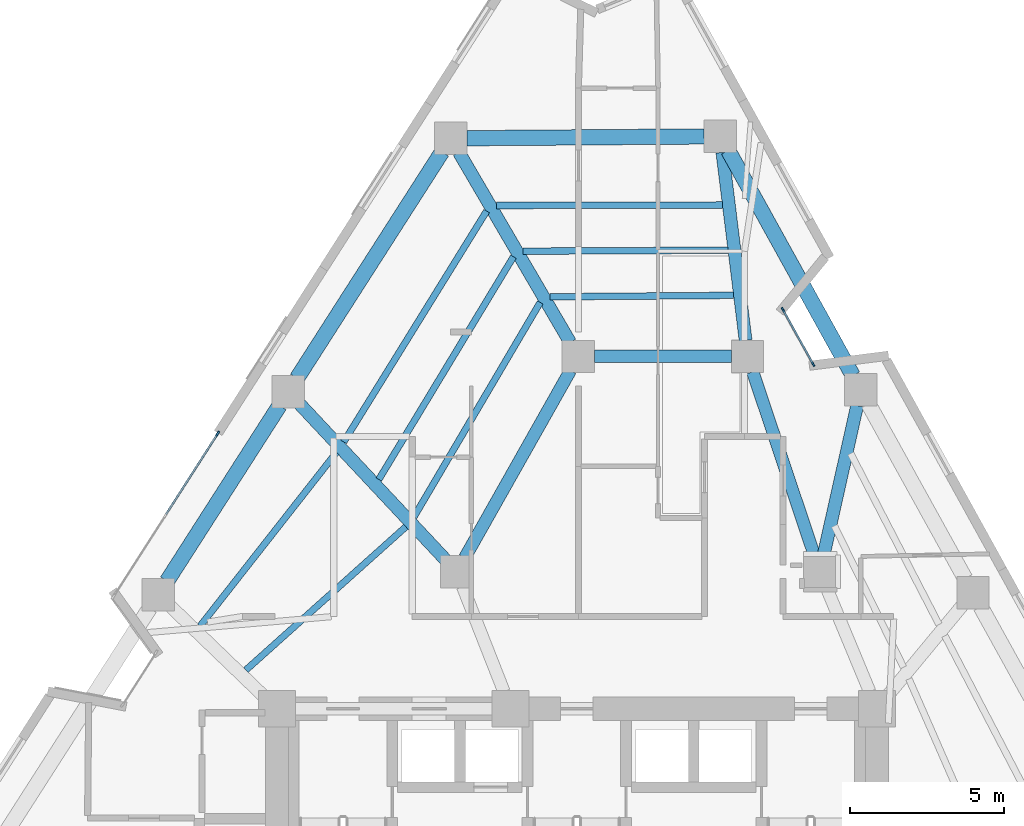
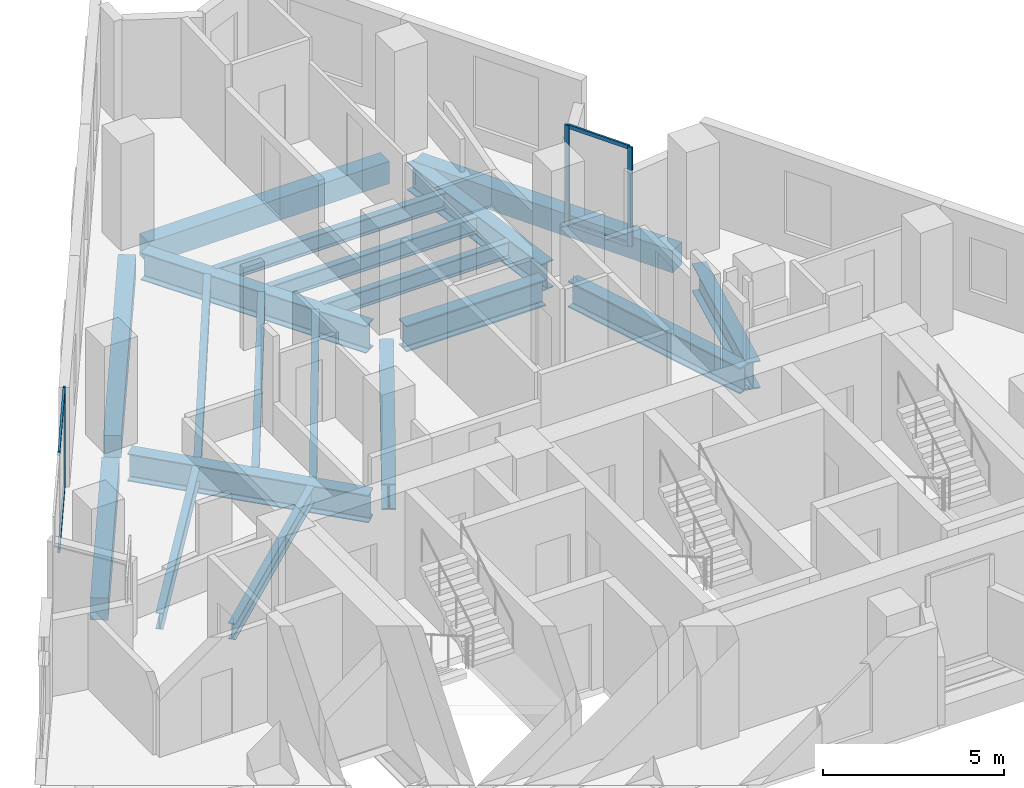
# One storey, part 3 of 10: 19 beams, 7 members, 2 elements without a shape of their own.
"""IFC4 building model written with IfcOpenShell, lengths in metres."""

import ifcopenshell
import ifcopenshell.guid

model = None  # the IFC model being written
_history = None  # IfcOwnerHistory: only IFC2X3 demands one
_inside = {}  # id of a spatial element -> (the spatial element, [elements in it])
_under = {}  # id of a project, library or spatial element -> (it, [spatial elements below it])
_declared = {}  # id of a project -> (the project, [libraries it declares])
_typed = {}  # id of a type object -> (the type object, [elements of that type])
_made_of = {}  # id of a material, layer set ... -> (it, [elements and type objects made of it])


def new_model(schema):
    """Start an empty IFC model of exactly this schema.

    Asked for "IFC4X3", IfcOpenShell would pick the latest addendum, in which some entities
    have other attributes; the version numbers below select the first issue.
    IFC2X3 requires an IfcOwnerHistory on every rooted entity: one is made here for all.
    """
    global model, _history
    if schema == "IFC4X3":
        model = ifcopenshell.file(schema_version=(4, 3, 0, 0))
    else:
        model = ifcopenshell.file(schema=schema)
    _inside.clear()
    _under.clear()
    _declared.clear()
    _typed.clear()
    _made_of.clear()
    _history = None
    if model.schema == "IFC2X3":
        org = make("IfcOrganization", Name="unknown")
        user = make(
            "IfcPersonAndOrganization",
            ThePerson=make("IfcPerson", FamilyName="unknown"),
            TheOrganization=org,
        )
        app = make(
            "IfcApplication",
            ApplicationDeveloper=org,
            Version="unknown",
            ApplicationFullName="unknown",
            ApplicationIdentifier="unknown",
        )
        _history = make(
            "IfcOwnerHistory",
            OwningUser=user,
            OwningApplication=app,
            ChangeAction="ADDED",
            CreationDate=0,
        )
    return model


def make(cls, **values):
    """One entity of the class cls with the attributes given. An attribute that is None is left unset."""
    return model.create_entity(
        cls, **{name: value for name, value in values.items() if value is not None}
    )


def rooted(cls, **values):
    """An entity with a GlobalId (a new one), such as an element, a storey or a relation."""
    return make(cls, GlobalId=ifcopenshell.guid.new(), OwnerHistory=_history, **values)


def si_unit(unit_type, name, prefix=None):
    """IfcSIUnit, for example si_unit("LENGTHUNIT", "METRE", prefix="MILLI")."""
    return make("IfcSIUnit", UnitType=unit_type, Prefix=prefix, Name=name)


def assignment(units):
    """IfcUnitAssignment: the units of a project."""
    return None if units is None else make("IfcUnitAssignment", Units=units)


def point(xyz):
    """IfcCartesianPoint."""
    return None if xyz is None else make("IfcCartesianPoint", Coordinates=xyz)


def direction(xyz):
    """IfcDirection."""
    return None if xyz is None else make("IfcDirection", DirectionRatios=xyz)


def frame(location, z_axis=None, x_axis=None):
    """IfcAxis2Placement3D, a coordinate frame: its origin and axes. An axis left out is left unset."""
    return make(
        "IfcAxis2Placement3D",
        Location=point(location),
        Axis=direction(z_axis),
        RefDirection=direction(x_axis),
    )


def frame_2d(location, x_axis=None):
    """IfcAxis2Placement2D, a coordinate frame in the plane: its origin and x axis."""
    return make(
        "IfcAxis2Placement2D", Location=point(location), RefDirection=direction(x_axis)
    )


def origin():
    """The frame at (0, 0, 0) with its axes left unset."""
    return frame((0.0, 0.0, 0.0))


def origin_2d():
    """The frame at (0, 0) in the plane with its x axis left unset."""
    return frame_2d((0.0, 0.0))


def place(relative_to, where):
    """IfcLocalPlacement: puts the frame where relative to a parent placement (None: the world)."""
    return make(
        "IfcLocalPlacement", PlacementRelTo=relative_to, RelativePlacement=where
    )


def context(
    kind, dimensions, precision=None, world=None, true_north=None, identifier=None
):
    """IfcGeometricRepresentationContext, for example the 3D "Model" context."""
    return make(
        "IfcGeometricRepresentationContext",
        ContextIdentifier=identifier,
        ContextType=kind,
        CoordinateSpaceDimension=dimensions,
        Precision=precision,
        WorldCoordinateSystem=world,
        TrueNorth=true_north,
    )


def subcontext(parent, identifier, kind, view, scale=None):
    """IfcGeometricRepresentationSubContext, for example "Body" below "Model"."""
    return make(
        "IfcGeometricRepresentationSubContext",
        ContextIdentifier=identifier,
        ContextType=kind,
        ParentContext=parent,
        TargetScale=scale,
        TargetView=view,
    )


def project(units=None, contexts=None):
    """IfcProject with its units and contexts."""
    return rooted(
        "IfcProject",
        Name="project",
        RepresentationContexts=contexts,
        UnitsInContext=assignment(units),
    )


def spatial(cls, under=None, at=None, **own):
    """A site, building, storey or space (cls), placed at a placement, below another one or the project."""
    s = rooted(cls, ObjectPlacement=at, **own)
    if under is not None:
        _under.setdefault(under.id(), (under, []))[1].append(s)
    return s


def profile(cls, at=None, kind="AREA", **sizes):
    """A parametric profile (cls). Its sizes go by their IFC names, for example OverallWidth=200.0."""
    return make(cls, ProfileType=kind, Position=at, **sizes)


def rectangle(**sizes):
    """IfcRectangleProfileDef."""
    return profile("IfcRectangleProfileDef", **sizes)


def i_section(**sizes):
    """IfcIShapeProfileDef."""
    return profile("IfcIShapeProfileDef", **sizes)


def extrude(swept, where, along, depth):
    """IfcExtrudedAreaSolid: the profile swept, set in the frame where, extruded along a direction by depth."""
    return make(
        "IfcExtrudedAreaSolid",
        SweptArea=swept,
        Position=where,
        ExtrudedDirection=direction(along),
        Depth=depth,
    )


def shape(context_of_items, identifier, shape_type, items):
    """IfcShapeRepresentation: the items that make up one representation, for example the "Body"."""
    return make(
        "IfcShapeRepresentation",
        ContextOfItems=context_of_items,
        RepresentationIdentifier=identifier,
        RepresentationType=shape_type,
        Items=items,
    )


def material(Name=None, Category=None):
    """IfcMaterial."""
    return make("IfcMaterial", Name=Name, Category=Category)


def layer(
    of_material, thickness, ventilated=None, Name=None, Category=None, Priority=None
):
    """IfcMaterialLayer: one layer of a wall or slab, of a material (None: an air gap)."""
    return make(
        "IfcMaterialLayer",
        Material=of_material,
        LayerThickness=thickness,
        IsVentilated=ventilated,
        Name=Name,
        Category=Category,
        Priority=Priority,
    )


def layer_set(layers, Name=None):
    """IfcMaterialLayerSet."""
    return make("IfcMaterialLayerSet", MaterialLayers=layers, LayerSetName=Name)


def material_profile(
    of_material, cross_section, Name=None, Category=None, Priority=None
):
    """IfcMaterialProfile: a cross section and its material."""
    return make(
        "IfcMaterialProfile",
        Name=Name,
        Material=of_material,
        Profile=cross_section,
        Priority=Priority,
        Category=Category,
    )


def profile_set(profiles, Name=None, composite=None):
    """IfcMaterialProfileSet."""
    return make(
        "IfcMaterialProfileSet",
        Name=Name,
        MaterialProfiles=profiles,
        CompositeProfile=composite,
    )


def made_of(thing, what):
    """Note that an element or type object is made of a material, layer set ...; save() writes the relation."""
    if what is not None:
        _made_of.setdefault(what.id(), (what, []))[1].append(thing)
    return thing


def type_object(cls, material=None, **own):
    """A type object (cls), such as IfcWallType, which elements share."""
    return made_of(rooted(cls, **own), material)


def element(
    cls,
    number,
    at=None,
    inside=None,
    cuts=None,
    type_object=None,
    material=None,
    context=None,
    identifier="Body",
    shape_type=None,
    held_by="IfcProductDefinitionShape",
    body=None,
    shapes=None,
    **own,
):
    """One element of the class cls, such as IfcWall. Its Tag is "e" and its number.

    at: its placement. inside: the storey or other place that contains it. cuts: it is an
    opening in that element (IfcRelVoidsElement). A single representation is given by context,
    identifier, shape_type and body (its items); several are given by shapes. held_by: the class
    of the entity that holds the representations. save() writes the other relations.
    """
    e = rooted(cls, Tag="e%d" % number, ObjectPlacement=at, **own)
    if body is not None:
        shapes = [shape(context, identifier, shape_type, body)]
    if shapes is not None:
        e.Representation = make(held_by, Representations=shapes)
    if inside is not None:
        _inside.setdefault(inside.id(), (inside, []))[1].append(e)
    if cuts is not None:
        rooted(
            "IfcRelVoidsElement", RelatingBuildingElement=cuts, RelatedOpeningElement=e
        )
    if type_object is not None:
        _typed.setdefault(type_object.id(), (type_object, []))[1].append(e)
    return made_of(e, material)


def aggregate(whole, parts):
    """IfcRelAggregates: a whole, such as a stair, and the parts it consists of."""
    return rooted("IfcRelAggregates", RelatingObject=whole, RelatedObjects=parts)


def save(model, path):
    """Write the relations noted so far, then the file.

    IfcRelAggregates (storeys below a building ...), IfcRelContainedInSpatialStructure (elements
    in a storey), IfcRelDefinesByType, IfcRelAssociatesMaterial and IfcRelDeclares: one each for
    every whole, place, type object, material and project.
    """
    for whole, parts in _under.values():
        aggregate(whole, parts)
    for where, things in _inside.values():
        rooted(
            "IfcRelContainedInSpatialStructure",
            RelatedElements=things,
            RelatingStructure=where,
        )
    for kind, things in _typed.values():
        rooted("IfcRelDefinesByType", RelatedObjects=things, RelatingType=kind)
    for what, things in _made_of.values():
        rooted("IfcRelAssociatesMaterial", RelatedObjects=things, RelatingMaterial=what)
    for by, libraries in _declared.values():
        rooted("IfcRelDeclares", RelatingContext=by, RelatedDefinitions=libraries)
    model.write(path)


model = new_model("IFC4")

# Units and contexts
model_context = context("Model", 3, precision=1e-05, world=origin(), true_north=direction((0.0, 1.0)))
body_context = subcontext(model_context, "Body", "Model", "MODEL_VIEW")
ifc_project = project(units=[si_unit("LENGTHUNIT", "METRE"), si_unit("AREAUNIT", "SQUARE_METRE"), si_unit("VOLUMEUNIT", "CUBIC_METRE"), si_unit("PLANEANGLEUNIT", "RADIAN"), si_unit("MASSUNIT", "GRAM", prefix="KILO")], contexts=[model_context])

# Site, building, storey
site_placement = place(None, origin())
site = spatial("IfcSite", under=ifc_project, at=site_placement, CompositionType="ELEMENT")
building_placement = place(site_placement, origin())
building = spatial("IfcBuilding", under=site, at=building_placement, Name="Almagre Mirador Tower", CompositionType="ELEMENT")
storey_placement = place(building_placement, frame((0.0, 0.0, 171.60009765625)))
storey = spatial("IfcBuildingStorey", under=building, at=storey_placement, Name="L44", CompositionType="ELEMENT", Elevation=171.60009765625)

# Beams
ifc_material_1 = material(Name="Steel ASTM A992 Grade 50", Category="steel")
ifc_material_profile_1 = material_profile(ifc_material_1, i_section(OverallWidth=0.214111328125, OverallDepth=0.549072265625, WebThickness=0.0146484375, FlangeThickness=0.023681640625, FilletRadius=0.01806640625, at=origin_2d()), Name="W21X93")
ifc_profile_set_1 = profile_set([ifc_material_profile_1], Name="Steel ASTM A992 Grade 50")
beam_type_1 = type_object("IfcBeamType", Name="BM-JST-W21X93", PredefinedType="JOIST", material=ifc_profile_set_1)
beam_1_placement = place(storey_placement, frame((42.032958984375, 31.121826171875, -0.524658203125), z_axis=(-0.999997444767, -0.002260632521, 0.0), x_axis=(0.002260632521, -0.999997444767, 0.0)))
element("IfcBeam", 1, at=beam_1_placement, inside=storey, type_object=beam_type_1, Name="L44 secondary floor joist PC08-PC09.1", PredefinedType="JOIST", context=body_context, shape_type="SweptSolid", body=[
    extrude(i_section(OverallWidth=0.214111328125, OverallDepth=0.549072265625, WebThickness=0.0146484375, FlangeThickness=0.023681640625, FilletRadius=0.01806640625, at=origin_2d()), origin(), (0.0, 0.0, 1.0), 7.34375),
])
beam_2_placement = place(storey_placement, frame((42.214111328125, 29.654296875, -0.524658203125), z_axis=(-0.999988103405, -0.004877811845, 0.0), x_axis=(0.004877811845, -0.999988103405, 0.0)))
element("IfcBeam", 2, at=beam_2_placement, inside=storey, type_object=beam_type_1, Name="L44 secondary floor joist PC08-PC09.2", PredefinedType="JOIST", context=body_context, shape_type="SweptSolid", body=[
    extrude(i_section(OverallWidth=0.214111328125, OverallDepth=0.549072265625, WebThickness=0.0146484375, FlangeThickness=0.023681640625, FilletRadius=0.01806640625, at=origin_2d()), origin(), (0.0, 0.0, 1.0), 6.65673828125),
])
beam_3_placement = place(storey_placement, frame((42.3955078125, 28.186279296875, -0.524658203125), z_axis=(-0.999968205338, -0.007974228113, 0.0), x_axis=(0.007974228113, -0.999968205338, 0.0)))
element("IfcBeam", 3, at=beam_3_placement, inside=storey, type_object=beam_type_1, Name="L44 secondary floor joist PC08-PC09.3", PredefinedType="JOIST", context=body_context, shape_type="SweptSolid", body=[
    extrude(i_section(OverallWidth=0.214111328125, OverallDepth=0.549072265625, WebThickness=0.0146484375, FlangeThickness=0.023681640625, FilletRadius=0.01806640625, at=origin_2d()), origin(), (0.0, 0.0, 1.0), 5.97021484375),
])
beam_4_placement = place(storey_placement, frame((34.3701171875, 30.927001953125, -0.524658203125), z_axis=(-0.526297490508, -0.850300506577, 0.0), x_axis=(0.850300506577, -0.526297490508, 0.0)))
element("IfcBeam", 4, at=beam_4_placement, inside=storey, type_object=beam_type_1, Name="L44 secondary floor joist PC09-PC10.1", PredefinedType="JOIST", context=body_context, shape_type="SweptSolid", body=[
    extrude(i_section(OverallWidth=0.214111328125, OverallDepth=0.549072265625, WebThickness=0.0146484375, FlangeThickness=0.023681640625, FilletRadius=0.01806640625, at=origin_2d()), origin(), (0.0, 0.0, 1.0), 8.828125),
])
beam_5_placement = place(storey_placement, frame((35.240234375, 29.44189453125, -0.524658203125), z_axis=(-0.5172600995, -0.855828247644, 0.0), x_axis=(0.855828247644, -0.5172600995, 0.0)))
element("IfcBeam", 5, at=beam_5_placement, inside=storey, type_object=beam_type_1, Name="L44 secondary floor joist PC09-PC10.2", PredefinedType="JOIST", context=body_context, shape_type="SweptSolid", body=[
    extrude(i_section(OverallWidth=0.214111328125, OverallDepth=0.549072265625, WebThickness=0.0146484375, FlangeThickness=0.023681640625, FilletRadius=0.01806640625, at=origin_2d()), origin(), (0.0, 0.0, 1.0), 8.4599609375),
])
beam_6_placement = place(storey_placement, frame((36.110595703125, 27.956787109375, -0.524658203125), z_axis=(-0.507370781605, -0.861727851455, 0.0), x_axis=(0.861727851455, -0.507370781605, 0.0)))
element("IfcBeam", 6, at=beam_6_placement, inside=storey, type_object=beam_type_1, Name="L44 secondary floor joist PC09-PC10.3", PredefinedType="JOIST", context=body_context, shape_type="SweptSolid", body=[
    extrude(i_section(OverallWidth=0.214111328125, OverallDepth=0.549072265625, WebThickness=0.0146484375, FlangeThickness=0.023681640625, FilletRadius=0.01806640625, at=origin_2d()), origin(), (0.0, 0.0, 1.0), 8.092529296875),
])
beam_7_placement = place(storey_placement, frame((29.484619140625, 23.078369140625, -0.524658203125), z_axis=(-0.617460619368, -0.786601794766, 0.0), x_axis=(0.786601794766, -0.617460619368, 0.0)))
element("IfcBeam", 7, at=beam_7_placement, inside=storey, type_object=beam_type_1, Name="L44 secondary floor joist PC10-PC11.1", PredefinedType="JOIST", context=body_context, shape_type="SweptSolid", body=[
    extrude(i_section(OverallWidth=0.214111328125, OverallDepth=0.549072265625, WebThickness=0.0146484375, FlangeThickness=0.023681640625, FilletRadius=0.01806640625, at=origin_2d()), origin(), (0.0, 0.0, 1.0), 7.1708984375),
])
beam_8_placement = place(storey_placement, frame((31.742919921875, 20.66357421875, -0.524658203125), z_axis=(-0.744984176827, -0.66708213608, 0.0), x_axis=(0.66708213608, -0.744984176827, 0.0)))
element("IfcBeam", 8, at=beam_8_placement, inside=storey, type_object=beam_type_1, Name="L44 secondary floor joist PC10-PC11.3", PredefinedType="JOIST", context=body_context, shape_type="SweptSolid", body=[
    extrude(i_section(OverallWidth=0.214111328125, OverallDepth=0.549072265625, WebThickness=0.0146484375, FlangeThickness=0.023681640625, FilletRadius=0.01806640625, at=origin_2d()), origin(), (0.0, 0.0, 1.0), 6.979248046875),
])
ifc_material_2 = material(Name="Precast concrete C50/60", Category="concrete")
ifc_material_profile_2 = material_profile(ifc_material_2, rectangle(XDim=0.5, YDim=0.75, at=origin_2d()), Name="RC500X750")
ifc_profile_set_2 = profile_set([ifc_material_profile_2], Name="Precast concrete C50/60")
beam_type_2 = type_object("IfcBeamType", Name="BM-SPN-RC500X750", PredefinedType="SPANDREL", material=ifc_profile_set_2)
beam_9_placement = place(storey_placement, frame((46.271728515625, 25.574462890625, -0.625), z_axis=(-0.484205406649, 0.874954355479, 0.0), x_axis=(-0.874954355479, -0.484205406649, 0.0)))
element("IfcBeam", 9, at=beam_9_placement, inside=storey, type_object=beam_type_2, Name="L44 perimeter spandrel beam PC07-PC08", PredefinedType="SPANDREL", context=body_context, shape_type="SweptSolid", body=[
    extrude(rectangle(XDim=0.5, YDim=0.75, at=origin_2d()), origin(), (0.0, 0.0, 1.0), 8.367431640625),
])
beam_10_placement = place(storey_placement, frame((41.44091796875, 33.35107421875, -0.625), z_axis=(-0.999971631183, -0.007532385372, 0.0), x_axis=(0.007532385372, -0.999971631183, 0.0)))
element("IfcBeam", 10, at=beam_10_placement, inside=storey, type_object=beam_type_2, Name="L44 perimeter spandrel beam PC08-PC09", PredefinedType="SPANDREL", context=body_context, shape_type="SweptSolid", body=[
    extrude(rectangle(XDim=0.5, YDim=0.75, at=origin_2d()), origin(), (0.0, 0.0, 1.0), 7.714111328125),
])
beam_11_placement = place(storey_placement, frame((32.918701171875, 32.846923828125, -0.625), z_axis=(-0.539525433851, -0.841969302426, 0.0), x_axis=(0.841969302426, -0.539525433851, 0.0)))
element("IfcBeam", 11, at=beam_11_placement, inside=storey, type_object=beam_type_2, Name="L44 perimeter spandrel beam PC09-PC10", PredefinedType="SPANDREL", context=body_context, shape_type="SweptSolid", body=[
    extrude(rectangle(XDim=0.5, YDim=0.75, at=origin_2d()), origin(), (0.0, 0.0, 1.0), 8.736572265625),
])
beam_12_placement = place(storey_placement, frame((27.638916015625, 24.60693359375, -0.625), z_axis=(-0.539533906924, -0.841963872906, 0.0), x_axis=(0.841963872906, -0.539533906924, 0.0)))
element("IfcBeam", 12, at=beam_12_placement, inside=storey, type_object=beam_type_2, Name="L44 perimeter spandrel beam PC10-PC11", PredefinedType="SPANDREL", context=body_context, shape_type="SweptSolid", body=[
    extrude(rectangle(XDim=0.5, YDim=0.75, at=origin_2d()), origin(), (0.0, 0.0, 1.0), 6.779296875),
])
ifc_material_3 = material(Name="Steel ASTM A992 Grade 50", Category="steel")
ifc_material_profile_3 = material_profile(ifc_material_3, i_section(OverallWidth=0.404052734375, OverallDepth=0.884033203125, WebThickness=0.0244140625, FlangeThickness=0.0439453125, FilletRadius=0.02490234375, at=origin_2d()), Name="W33X291")
ifc_profile_set_3 = profile_set([ifc_material_profile_3], Name="Steel ASTM A992 Grade 50")
beam_type_3 = type_object("IfcBeamType", Name="BM-STL-W33X291", PredefinedType="BEAM", material=ifc_profile_set_3)
beam_13_placement = place(storey_placement, frame((37.875, 26.199951171875, -0.692138671875), z_axis=(1.0, 0.0, 0.0), x_axis=(0.0, 1.0, 0.0)))
element("IfcBeam", 13, at=beam_13_placement, inside=storey, type_object=beam_type_3, Name="L44 core tie girder MC7-MC6", PredefinedType="BEAM", context=body_context, shape_type="SweptSolid", body=[
    extrude(i_section(OverallWidth=0.404052734375, OverallDepth=0.884033203125, WebThickness=0.0244140625, FlangeThickness=0.0439453125, FilletRadius=0.02490234375, at=origin_2d()), origin(), (0.0, 0.0, 1.0), 4.449951171875),
])
beam_14_placement = place(storey_placement, frame((43.01708984375, 25.702392578125, -0.692138671875), z_axis=(0.318262189587, -0.948002731367, 0.0), x_axis=(0.948002731367, 0.318262189587, 0.0)))
element("IfcBeam", 14, at=beam_14_placement, inside=storey, type_object=beam_type_3, Name="L44 core tie girder MC6-MC5", PredefinedType="BEAM", context=body_context, shape_type="SweptSolid", body=[
    extrude(i_section(OverallWidth=0.404052734375, OverallDepth=0.884033203125, WebThickness=0.0244140625, FlangeThickness=0.0439453125, FilletRadius=0.02490234375, at=origin_2d()), origin(), (0.0, 0.0, 1.0), 6.333984375),
])
beam_15_placement = place(storey_placement, frame((37.092041015625, 25.742919921875, -0.692138671875), z_axis=(-0.491443510044, -0.870909453638, 0.0), x_axis=(0.870909453638, -0.491443510044, 0.0)))
element("IfcBeam", 15, at=beam_15_placement, inside=storey, type_object=beam_type_3, Name="L44 core tie girder MC7-MC8", PredefinedType="BEAM", context=body_context, shape_type="SweptSolid", body=[
    extrude(i_section(OverallWidth=0.404052734375, OverallDepth=0.884033203125, WebThickness=0.0244140625, FlangeThickness=0.0439453125, FilletRadius=0.02490234375, at=origin_2d()), origin(), (0.0, 0.0, 1.0), 6.98779296875),
])
ifc_material_4 = material(Name="Steel ASTM A992 Grade 50", Category="steel")
ifc_material_profile_4 = material_profile(ifc_material_4, i_section(OverallWidth=0.41796875, OverallDepth=0.927001953125, WebThickness=0.019287109375, FlangeThickness=0.031982421875, FilletRadius=0.028076171875, at=origin_2d()), Name="W36X231")
ifc_profile_set_4 = profile_set([ifc_material_profile_4], Name="Steel ASTM A992 Grade 50")
beam_type_4 = type_object("IfcBeamType", Name="BM-STL-W36X231", PredefinedType="BEAM", material=ifc_profile_set_4)
beam_16_placement = place(storey_placement, frame((46.4111328125, 24.602783203125, -0.713623046875), z_axis=(-0.21877143467, -0.975776131791, 0.0), x_axis=(0.975776131791, -0.21877143467, 0.0)))
element("IfcBeam", 16, at=beam_16_placement, inside=storey, type_object=beam_type_4, Name="L44 radial floor girder PC07-MC5", PredefinedType="BEAM", context=body_context, shape_type="SweptSolid", body=[
    extrude(i_section(OverallWidth=0.41796875, OverallDepth=0.927001953125, WebThickness=0.019287109375, FlangeThickness=0.031982421875, FilletRadius=0.028076171875, at=origin_2d()), origin(), (0.0, 0.0, 1.0), 5.01171875),
])
beam_17_placement = place(storey_placement, frame((42.030517578125, 32.833984375, -0.713623046875), z_axis=(0.122595496619, -0.99245672158, 0.0), x_axis=(0.99245672158, 0.122595496619, 0.0)))
element("IfcBeam", 17, at=beam_17_placement, inside=storey, type_object=beam_type_4, Name="L44 radial floor girder PC08-MC6", PredefinedType="BEAM", context=body_context, shape_type="SweptSolid", body=[
    extrude(i_section(OverallWidth=0.41796875, OverallDepth=0.927001953125, WebThickness=0.019287109375, FlangeThickness=0.031982421875, FilletRadius=0.028076171875, at=origin_2d()), origin(), (0.0, 0.0, 1.0), 6.159423828125),
])
beam_18_placement = place(storey_placement, frame((33.467041015625, 32.8359375, -0.713623046875), z_axis=(0.50504237399, -0.863094548977, 0.0), x_axis=(0.863094548977, 0.50504237399, 0.0)))
element("IfcBeam", 18, at=beam_18_placement, inside=storey, type_object=beam_type_4, Name="L44 radial floor girder PC09-MC7", PredefinedType="BEAM", context=body_context, shape_type="SweptSolid", body=[
    extrude(i_section(OverallWidth=0.41796875, OverallDepth=0.927001953125, WebThickness=0.019287109375, FlangeThickness=0.031982421875, FilletRadius=0.028076171875, at=origin_2d()), origin(), (0.0, 0.0, 1.0), 7.16357421875),
])
beam_19_placement = place(storey_placement, frame((28.281005859375, 24.665771484375, -0.713623046875), z_axis=(0.683570174234, -0.729884797004, 0.0), x_axis=(0.729884797004, 0.683570174234, 0.0)))
element("IfcBeam", 19, at=beam_19_placement, inside=storey, type_object=beam_type_4, Name="L44 radial floor girder PC10-MC8", PredefinedType="BEAM", context=body_context, shape_type="SweptSolid", body=[
    extrude(i_section(OverallWidth=0.41796875, OverallDepth=0.927001953125, WebThickness=0.019287109375, FlangeThickness=0.031982421875, FilletRadius=0.028076171875, at=origin_2d()), origin(), (0.0, 0.0, 1.0), 6.96337890625),
])

# Curtain wall, members
ifc_material_5 = material(Name="Black anodized aluminium", Category="aluminium")
ifc_layer_1 = layer(ifc_material_5, 0.169921875)
ifc_layer_set_1 = layer_set([ifc_layer_1], Name="Black anodized aluminium")
curtain_wall_type_1 = type_object("IfcCurtainWallType", Name="CW-CRS-SYS", PredefinedType="NOTDEFINED", material=ifc_layer_set_1)
curtain_wall_1_placement = place(storey_placement, origin())
curtain_wall_1 = element("IfcCurtainWall", 20, at=curtain_wall_1_placement, inside=storey, type_object=curtain_wall_type_1, Name="L44 vertical crease curtain wall 03", PredefinedType="NOTDEFINED")
ifc_material_6 = material(Name="Black anodized aluminium", Category="aluminium")
ifc_material_profile_5 = material_profile(ifc_material_6, rectangle(XDim=0.06005859375, YDim=0.14990234375, at=origin_2d()), Name="CWM60X150")
ifc_profile_set_5 = profile_set([ifc_material_profile_5], Name="Black anodized aluminium")
member_type_1 = type_object("IfcMemberType", Name="MBR-CWM60X150", PredefinedType="MULLION", material=ifc_profile_set_5)
member_1_placement = place(storey_placement, frame((43.99951171875, 27.71875, 0.0), z_axis=(0.0, 0.0, 1.0), x_axis=(0.874878722341, 0.48434204979, 0.0)))
member_1 = element("IfcMember", 21, at=member_1_placement, type_object=member_type_1, Name="CW-4 mullion 1", PredefinedType="MULLION", context=body_context, shape_type="SweptSolid", body=[
    extrude(rectangle(XDim=0.06005859375, YDim=0.14990234375, at=origin_2d()), origin(), (0.0, 0.0, 1.0), 3.349853515625),
])
member_2_placement = place(storey_placement, frame((44.982421875, 25.943359375, 0.0), z_axis=(0.0, 0.0, 1.0), x_axis=(0.874878722341, 0.48434204979, 0.0)))
member_2 = element("IfcMember", 22, at=member_2_placement, type_object=member_type_1, Name="CW-4 mullion 2", PredefinedType="MULLION", context=body_context, shape_type="SweptSolid", body=[
    extrude(rectangle(XDim=0.06005859375, YDim=0.14990234375, at=origin_2d()), origin(), (0.0, 0.0, 1.0), 3.349853515625),
])

# Curtain wall, member
ifc_material_7 = material(Name="Black anodized aluminium", Category="aluminium")
ifc_layer_2 = layer(ifc_material_7, 0.199951171875)
ifc_layer_set_2 = layer_set([ifc_layer_2], Name="Black anodized aluminium")
curtain_wall_type_2 = type_object("IfcCurtainWallType", Name="CW-RES-H-SYS", PredefinedType="NOTDEFINED", material=ifc_layer_set_2)
curtain_wall_2_placement = place(storey_placement, origin())
curtain_wall_2 = element("IfcCurtainWall", 23, at=curtain_wall_2_placement, inside=storey, type_object=curtain_wall_type_2, Name="L44 curtain wall run 02", PredefinedType="NOTDEFINED")
ifc_material_8 = material(Name="Black anodized aluminium", Category="aluminium")
ifc_material_profile_6 = material_profile(ifc_material_8, rectangle(XDim=0.06494140625, YDim=0.179931640625, at=origin_2d()), Name="CWM65X180")
ifc_profile_set_6 = profile_set([ifc_material_profile_6], Name="Black anodized aluminium")
member_type_2 = type_object("IfcMemberType", Name="MBR-CWM65X180", PredefinedType="MULLION", material=ifc_profile_set_6)
member_3_placement = place(storey_placement, frame((25.624267578125, 23.685546875, 0.0), z_axis=(0.0, 0.0, 1.0), x_axis=(-0.841988665038, 0.539495215871, 0.0)))
member_3 = element("IfcMember", 24, at=member_3_placement, type_object=member_type_2, Name="CW-3 mullion 3", PredefinedType="MULLION", context=body_context, shape_type="SweptSolid", body=[
    extrude(rectangle(XDim=0.06494140625, YDim=0.179931640625, at=origin_2d()), origin(), (0.0, 0.0, 1.0), 3.349853515625),
])

# Member
ifc_material_9 = material(Name="Black anodized aluminium", Category="aluminium")
ifc_material_profile_7 = material_profile(ifc_material_9, rectangle(XDim=0.06005859375, YDim=0.1298828125, at=origin_2d()), Name="CWT60X130")
ifc_profile_set_7 = profile_set([ifc_material_profile_7], Name="Black anodized aluminium")
member_type_3 = type_object("IfcMemberType", Name="MBR-CWT60X130", PredefinedType="USERDEFINED", material=ifc_profile_set_7)
member_4_placement = place(storey_placement, frame((44.01416015625, 27.692626953125, 0.02978515625), z_axis=(0.484305716998, -0.874898835571, 0.0), x_axis=(0.874898835571, 0.484305716998, 0.0)))
member_4 = element("IfcMember", 25, at=member_4_placement, type_object=member_type_3, Name="CW-4 transom 1.1", ObjectType="TRANSOM", PredefinedType="USERDEFINED", context=body_context, shape_type="SweptSolid", body=[
    extrude(rectangle(XDim=0.06005859375, YDim=0.1298828125, at=origin_2d()), origin(), (0.0, 0.0, 1.0), 1.969482421875),
])

member_5_placement = place(storey_placement, frame((44.01416015625, 27.692626953125, 3.31982421875), z_axis=(0.484305716998, -0.874898835571, 0.0), x_axis=(0.874898835571, 0.484305716998, 0.0)))
member_5 = element("IfcMember", 26, at=member_5_placement, type_object=member_type_3, Name="CW-4 transom 1.2", ObjectType="TRANSOM", PredefinedType="USERDEFINED", context=body_context, shape_type="SweptSolid", body=[
    extrude(rectangle(XDim=0.06005859375, YDim=0.1298828125, at=origin_2d()), origin(), (0.0, 0.0, 1.0), 1.969482421875),
])

aggregate(curtain_wall_1, [member_1, member_2, member_4, member_5])

ifc_material_10 = material(Name="Black anodized aluminium", Category="aluminium")
ifc_material_profile_8 = material_profile(ifc_material_10, rectangle(XDim=0.06494140625, YDim=0.14990234375, at=origin_2d()), Name="CWT65X150")
ifc_profile_set_8 = profile_set([ifc_material_profile_8], Name="Black anodized aluminium")
member_type_4 = type_object("IfcMemberType", Name="MBR-CWT65X150", PredefinedType="USERDEFINED", material=ifc_profile_set_8)
member_6_placement = place(storey_placement, frame((23.946533203125, 21.0673828125, 0.032470703125), z_axis=(0.539557960561, 0.841948458752, 0.0), x_axis=(-0.841948458752, 0.539557960561, 0.0)))
member_6 = element("IfcMember", 27, at=member_6_placement, type_object=member_type_4, Name="CW-3 transom 2.1", ObjectType="TRANSOM", PredefinedType="USERDEFINED", context=body_context, shape_type="SweptSolid", body=[
    extrude(rectangle(XDim=0.06494140625, YDim=0.14990234375, at=origin_2d()), origin(), (0.0, 0.0, 1.0), 3.076904296875),
])

member_7_placement = place(storey_placement, frame((23.946533203125, 21.0673828125, 3.3173828125), z_axis=(0.539557960561, 0.841948458752, 0.0), x_axis=(-0.841948458752, 0.539557960561, 0.0)))
member_7 = element("IfcMember", 28, at=member_7_placement, type_object=member_type_4, Name="CW-3 transom 2.2", ObjectType="TRANSOM", PredefinedType="USERDEFINED", context=body_context, shape_type="SweptSolid", body=[
    extrude(rectangle(XDim=0.06494140625, YDim=0.14990234375, at=origin_2d()), origin(), (0.0, 0.0, 1.0), 3.076904296875),
])

aggregate(curtain_wall_2, [member_3, member_6, member_7])

save(model, "model.ifc")
